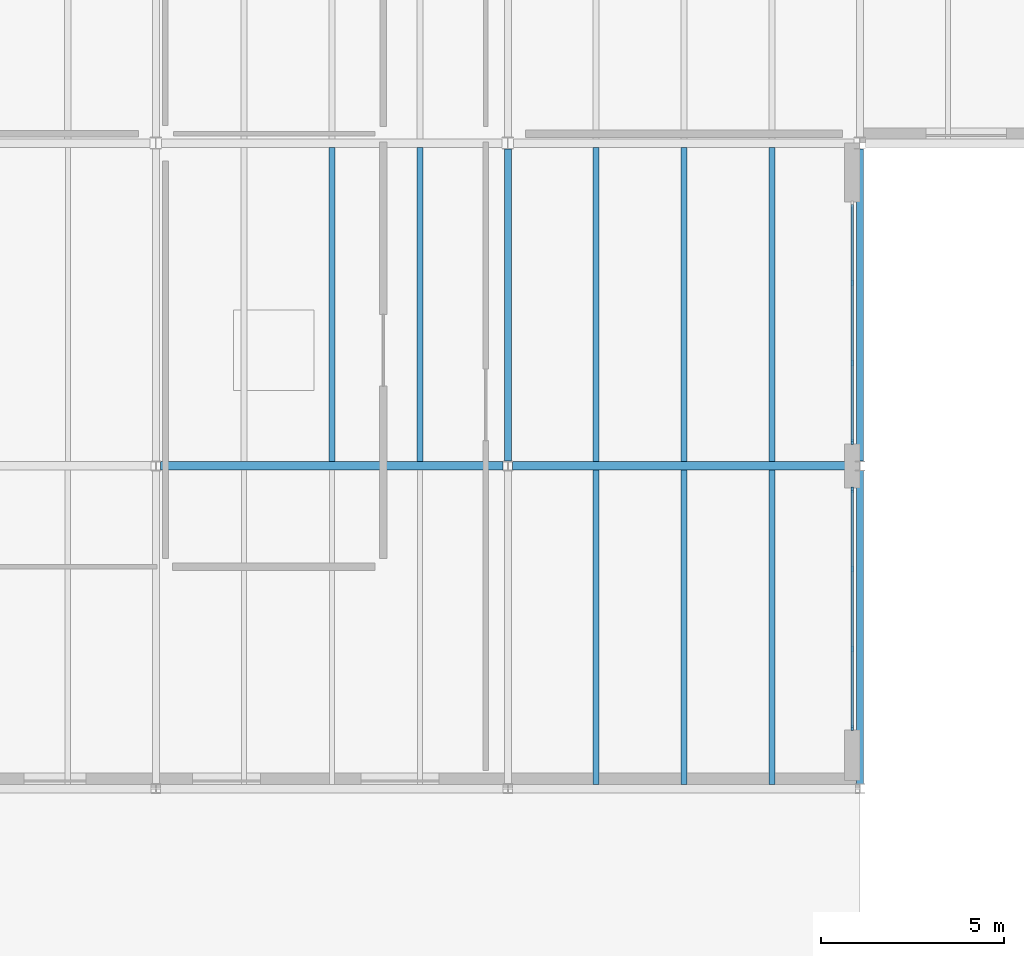
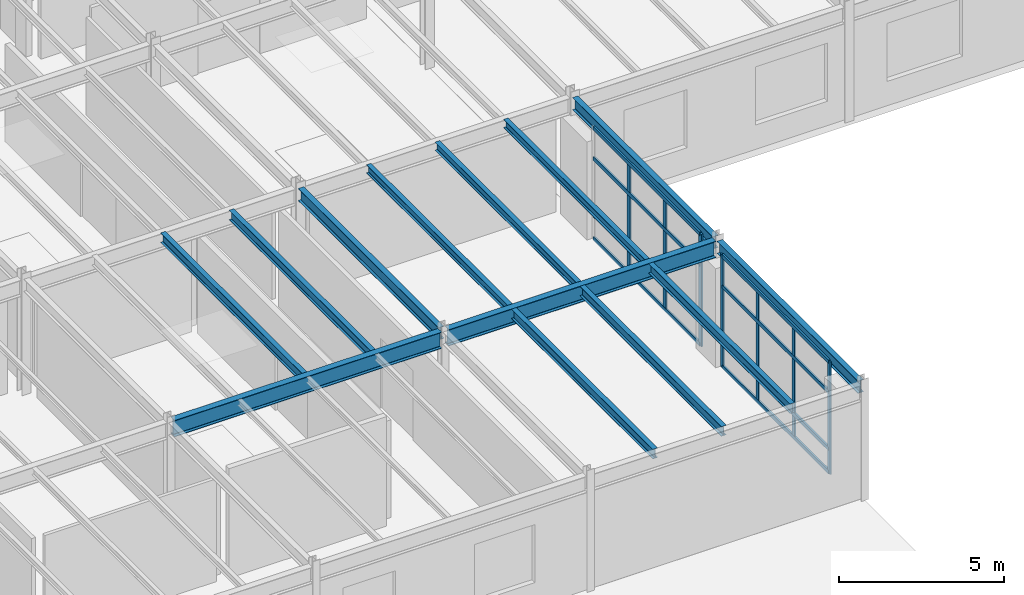
# One storey, part 25 of 77: 15 members, 13 beams, 2 elements without a shape of their own.
"""IFC4 building model written with IfcOpenShell, lengths in metres."""

from ifc_helpers import new_model, si_unit, direction, frame, origin, origin_2d, place, context, subcontext, project, spatial, rectangle, i_section, extrude, material, material_profile, profile_set, type_object, element, aggregate, save


model = new_model("IFC4")

# Units and contexts
model_context = context("Model", 3, precision=1e-05, world=origin(), true_north=direction((0.0, 1.0)))
body_context = subcontext(model_context, "Body", "Model", "MODEL_VIEW")
ifc_project = project(units=[si_unit("LENGTHUNIT", "METRE"), si_unit("AREAUNIT", "SQUARE_METRE"), si_unit("VOLUMEUNIT", "CUBIC_METRE"), si_unit("PLANEANGLEUNIT", "RADIAN"), si_unit("MASSUNIT", "GRAM", prefix="KILO")], contexts=[model_context])

# Site, building, storey
site_placement = place(None, origin())
site = spatial("IfcSite", under=ifc_project, at=site_placement, CompositionType="ELEMENT")
building_placement = place(site_placement, origin())
building = spatial("IfcBuilding", under=site, at=building_placement, Name="Sarnbrook Museum", CompositionType="ELEMENT")
storey_placement = place(building_placement, frame((0.0, 0.0, 5.60009765625)))
storey = spatial("IfcBuildingStorey", under=building, at=storey_placement, Name="L01", CompositionType="ELEMENT", Elevation=5.60009765625)

# Beams
ifc_material_1 = material(Name="Structural Steel Grade 300PLUS (AS/NZS 3679.1, fy = 280 MPa for 17 < t <= 40 mm, 300 MPa for t <= 17 mm)", Category="steel")
ifc_material_profile_1 = material_profile(ifc_material_1, i_section(OverallWidth=0.18994140625, OverallDepth=0.45703125, WebThickness=0.009033203125, FlangeThickness=0.014404296875, FilletRadius=0.011474609375, at=origin_2d()), Name="460UB74.6")
ifc_profile_set_1 = profile_set([ifc_material_profile_1], Name="Structural Steel Grade 300PLUS (AS/NZS 3679.1, fy = 280 MPa for 17 < t <= 40 mm, 300 MPa for t <= 17 mm)")
beam_type_1 = type_object("IfcBeamType", Name="BM-UB460", PredefinedType="BEAM", material=ifc_profile_set_1)
beam_1_placement = place(storey_placement, frame((109.60009765625, 30.530029296875, 4.0615234375), z_axis=(0.0, 1.0, 0.0), x_axis=(-1.0, 0.0, 0.0)))
element("IfcBeam", 1, at=beam_1_placement, inside=storey, type_object=beam_type_1, Name="Girder 12:D-E L01", PredefinedType="BEAM", context=body_context, shape_type="SweptSolid", body=[
    extrude(i_section(OverallWidth=0.18994140625, OverallDepth=0.45703125, WebThickness=0.009033203125, FlangeThickness=0.014404296875, FilletRadius=0.011474609375, at=origin_2d()), origin(), (0.0, 0.0, 1.0), 8.506591796875),
])
beam_2_placement = place(storey_placement, frame((119.199951171875, 21.72998046875, 4.0615234375), z_axis=(0.0, 1.0, 0.0), x_axis=(-1.0, 0.0, 0.0)))
element("IfcBeam", 2, at=beam_2_placement, inside=storey, type_object=beam_type_1, Name="Girder 13:C-D L01", PredefinedType="BEAM", context=body_context, shape_type="SweptSolid", body=[
    extrude(i_section(OverallWidth=0.18994140625, OverallDepth=0.45703125, WebThickness=0.009033203125, FlangeThickness=0.014404296875, FilletRadius=0.011474609375, at=origin_2d()), origin(), (0.0, 0.0, 1.0), 8.5400390625),
])
beam_3_placement = place(storey_placement, frame((119.199951171875, 30.530029296875, 4.0615234375), z_axis=(0.0, 1.0, 0.0), x_axis=(-1.0, 0.0, 0.0)))
element("IfcBeam", 3, at=beam_3_placement, inside=storey, type_object=beam_type_1, Name="Girder 13:D-E L01", PredefinedType="BEAM", context=body_context, shape_type="SweptSolid", body=[
    extrude(i_section(OverallWidth=0.18994140625, OverallDepth=0.45703125, WebThickness=0.009033203125, FlangeThickness=0.014404296875, FilletRadius=0.011474609375, at=origin_2d()), origin(), (0.0, 0.0, 1.0), 8.506591796875),
])
ifc_material_profile_2 = material_profile(ifc_material_1, i_section(OverallWidth=0.22802734375, OverallDepth=0.60693359375, WebThickness=0.01123046875, FlangeThickness=0.017333984375, FilletRadius=0.013916015625, at=origin_2d()), Name="610UB113")
ifc_profile_set_2 = profile_set([ifc_material_profile_2], Name="Structural Steel Grade 300PLUS (AS/NZS 3679.1, fy = 280 MPa for 17 < t <= 40 mm, 300 MPa for t <= 17 mm)")
beam_type_2 = type_object("IfcBeamType", Name="BM-UB610", PredefinedType="BEAM", material=ifc_profile_set_2)
for number, where, z_axis, x_axis, name in (
    (4, (100.1279296875, 30.39990234375, 3.986328125), (1.0, 0.0, 0.0), (0.0, 1.0, 0.0), "Girder D:11-12 L01"),
    (5, (109.72802734375, 30.39990234375, 3.986328125), (1.0, 0.0, 0.0), (0.0, 1.0, 0.0), "Girder D:12-13 L01"),
):
    element("IfcBeam", number, at=place(storey_placement, frame(where, z_axis=z_axis, x_axis=x_axis)), inside=storey, type_object=beam_type_2, Name=name, PredefinedType="BEAM", context=body_context, shape_type="SweptSolid", body=[
        extrude(i_section(OverallWidth=0.22802734375, OverallDepth=0.60693359375, WebThickness=0.01123046875, FlangeThickness=0.017333984375, FilletRadius=0.013916015625, at=origin_2d()), origin(), (0.0, 0.0, 1.0), 9.343994140625),
    ])

# Curtain wall, members
ifc_material_2 = material(Name="Thermally Broken Anodised Aluminium 6063-T6", Category="aluminium")
curtain_wall_type = type_object("IfcCurtainWallType", Name="CurtainWall_GalleryRibbon", PredefinedType="NOTDEFINED", material=ifc_material_2)
curtain_wall_1_placement = place(storey_placement, origin())
curtain_wall_1 = element("IfcCurtainWall", 6, at=curtain_wall_1_placement, inside=storey, type_object=curtain_wall_type, Name="Gallery Ribbon Curtain Wall L01-2.1", PredefinedType="NOTDEFINED")
ifc_material_profile_3 = material_profile(ifc_material_2, rectangle(XDim=0.06005859375, YDim=0.159912109375, at=origin_2d()), Name="ALU MULLION 60x160")
ifc_profile_set_3 = profile_set([ifc_material_profile_3], Name="Thermally Broken Anodised Aluminium 6063-T6")
member_type_1 = type_object("IfcMemberType", Name="CW_Mullion_150x65", PredefinedType="MULLION", material=ifc_profile_set_3)
member_1_placement = place(storey_placement, frame((118.989990234375, 23.260009765625, 0.0), z_axis=(0.0, 0.0, 1.0), x_axis=(1.0, 0.0, 0.0)))
member_1 = element("IfcMember", 7, at=member_1_placement, type_object=member_type_1, Name="Gallery Ribbon Curtain Wall L01-2.1 Mullion 1", PredefinedType="MULLION", context=body_context, shape_type="SweptSolid", body=[
    extrude(rectangle(XDim=0.06005859375, YDim=0.159912109375, at=origin_2d()), origin(), (0.0, 0.0, 1.0), 4.159912109375),
])
member_2_placement = place(storey_placement, frame((118.989990234375, 25.40673828125, 0.0), z_axis=(0.0, 0.0, 1.0), x_axis=(1.0, 0.0, 0.0)))
member_2 = element("IfcMember", 8, at=member_2_placement, type_object=member_type_1, Name="Gallery Ribbon Curtain Wall L01-2.1 Mullion 2", PredefinedType="MULLION", context=body_context, shape_type="SweptSolid", body=[
    extrude(rectangle(XDim=0.06005859375, YDim=0.159912109375, at=origin_2d()), origin(), (0.0, 0.0, 1.0), 4.159912109375),
])
member_3_placement = place(storey_placement, frame((118.989990234375, 27.59326171875, 0.0), z_axis=(0.0, 0.0, 1.0), x_axis=(1.0, 0.0, 0.0)))
member_3 = element("IfcMember", 9, at=member_3_placement, type_object=member_type_1, Name="Gallery Ribbon Curtain Wall L01-2.1 Mullion 3", PredefinedType="MULLION", context=body_context, shape_type="SweptSolid", body=[
    extrude(rectangle(XDim=0.06005859375, YDim=0.159912109375, at=origin_2d()), origin(), (0.0, 0.0, 1.0), 4.159912109375),
])
member_4_placement = place(storey_placement, frame((118.989990234375, 29.739990234375, 0.0), z_axis=(0.0, 0.0, 1.0), x_axis=(1.0, 0.0, 0.0)))
member_4 = element("IfcMember", 10, at=member_4_placement, type_object=member_type_1, Name="Gallery Ribbon Curtain Wall L01-2.1 Mullion 4", PredefinedType="MULLION", context=body_context, shape_type="SweptSolid", body=[
    extrude(rectangle(XDim=0.06005859375, YDim=0.159912109375, at=origin_2d()), origin(), (0.0, 0.0, 1.0), 4.159912109375),
])

curtain_wall_2_placement = place(storey_placement, origin())
curtain_wall_2 = element("IfcCurtainWall", 11, at=curtain_wall_2_placement, inside=storey, type_object=curtain_wall_type, Name="Gallery Ribbon Curtain Wall L01-2.2", PredefinedType="NOTDEFINED")
member_5_placement = place(storey_placement, frame((118.989990234375, 31.06005859375, 0.0), z_axis=(0.0, 0.0, 1.0), x_axis=(1.0, 0.0, 0.0)))
member_5 = element("IfcMember", 12, at=member_5_placement, type_object=member_type_1, Name="Gallery Ribbon Curtain Wall L01-2.2 Mullion 1", PredefinedType="MULLION", context=body_context, shape_type="SweptSolid", body=[
    extrude(rectangle(XDim=0.06005859375, YDim=0.159912109375, at=origin_2d()), origin(), (0.0, 0.0, 1.0), 4.159912109375),
])
member_6_placement = place(storey_placement, frame((118.989990234375, 33.206787109375, 0.0), z_axis=(0.0, 0.0, 1.0), x_axis=(1.0, 0.0, 0.0)))
member_6 = element("IfcMember", 13, at=member_6_placement, type_object=member_type_1, Name="Gallery Ribbon Curtain Wall L01-2.2 Mullion 2", PredefinedType="MULLION", context=body_context, shape_type="SweptSolid", body=[
    extrude(rectangle(XDim=0.06005859375, YDim=0.159912109375, at=origin_2d()), origin(), (0.0, 0.0, 1.0), 4.159912109375),
])
member_7_placement = place(storey_placement, frame((118.989990234375, 35.393310546875, 0.0), z_axis=(0.0, 0.0, 1.0), x_axis=(1.0, 0.0, 0.0)))
member_7 = element("IfcMember", 14, at=member_7_placement, type_object=member_type_1, Name="Gallery Ribbon Curtain Wall L01-2.2 Mullion 3", PredefinedType="MULLION", context=body_context, shape_type="SweptSolid", body=[
    extrude(rectangle(XDim=0.06005859375, YDim=0.159912109375, at=origin_2d()), origin(), (0.0, 0.0, 1.0), 4.159912109375),
])

# Member
ifc_material_profile_4 = material_profile(ifc_material_2, rectangle(XDim=0.06494140625, YDim=0.139892578125, at=origin_2d()), Name="ALU TRANSOM 65x140")
ifc_profile_set_4 = profile_set([ifc_material_profile_4], Name="Thermally Broken Anodised Aluminium 6063-T6")
member_type_2 = type_object("IfcMemberType", Name="CW_Transom_150x65", PredefinedType="USERDEFINED", material=ifc_profile_set_4)
member_8_placement = place(storey_placement, frame((118.989990234375, 23.27001953125, 0.039794921875), z_axis=(0.0, 1.0, 0.0), x_axis=(-1.0, 0.0, 0.0)))
member_8 = element("IfcMember", 15, at=member_8_placement, type_object=member_type_2, Name="Gallery Ribbon Curtain Wall L01-2.1 Transom 1", ObjectType="TRANSOM", PredefinedType="USERDEFINED", context=body_context, shape_type="SweptSolid", body=[
    extrude(rectangle(XDim=0.06494140625, YDim=0.139892578125, at=origin_2d()), origin(), (0.0, 0.0, 1.0), 6.4599609375),
])

member_9_placement = place(storey_placement, frame((118.989990234375, 23.27001953125, 0.89990234375), z_axis=(0.0, 1.0, 0.0), x_axis=(-1.0, 0.0, 0.0)))
member_9 = element("IfcMember", 16, at=member_9_placement, type_object=member_type_2, Name="Gallery Ribbon Curtain Wall L01-2.1 Transom 2", ObjectType="TRANSOM", PredefinedType="USERDEFINED", context=body_context, shape_type="SweptSolid", body=[
    extrude(rectangle(XDim=0.06494140625, YDim=0.139892578125, at=origin_2d()), origin(), (0.0, 0.0, 1.0), 6.4599609375),
])

member_10_placement = place(storey_placement, frame((118.989990234375, 23.27001953125, 3.0), z_axis=(0.0, 1.0, 0.0), x_axis=(-1.0, 0.0, 0.0)))
member_10 = element("IfcMember", 17, at=member_10_placement, type_object=member_type_2, Name="Gallery Ribbon Curtain Wall L01-2.1 Transom 3", ObjectType="TRANSOM", PredefinedType="USERDEFINED", context=body_context, shape_type="SweptSolid", body=[
    extrude(rectangle(XDim=0.06494140625, YDim=0.139892578125, at=origin_2d()), origin(), (0.0, 0.0, 1.0), 6.4599609375),
])

member_11_placement = place(storey_placement, frame((118.989990234375, 23.27001953125, 4.119873046875), z_axis=(0.0, 1.0, 0.0), x_axis=(-1.0, 0.0, 0.0)))
member_11 = element("IfcMember", 18, at=member_11_placement, type_object=member_type_2, Name="Gallery Ribbon Curtain Wall L01-2.1 Transom 4", ObjectType="TRANSOM", PredefinedType="USERDEFINED", context=body_context, shape_type="SweptSolid", body=[
    extrude(rectangle(XDim=0.06494140625, YDim=0.139892578125, at=origin_2d()), origin(), (0.0, 0.0, 1.0), 6.4599609375),
])

aggregate(curtain_wall_1, [member_1, member_2, member_3, member_4, member_8, member_9, member_10, member_11])

member_12_placement = place(storey_placement, frame((118.989990234375, 31.070068359375, 0.039794921875), z_axis=(0.0, 1.0, 0.0), x_axis=(-1.0, 0.0, 0.0)))
member_12 = element("IfcMember", 19, at=member_12_placement, type_object=member_type_2, Name="Gallery Ribbon Curtain Wall L01-2.2 Transom 1", ObjectType="TRANSOM", PredefinedType="USERDEFINED", context=body_context, shape_type="SweptSolid", body=[
    extrude(rectangle(XDim=0.06494140625, YDim=0.139892578125, at=origin_2d()), origin(), (0.0, 0.0, 1.0), 6.4599609375),
])

member_13_placement = place(storey_placement, frame((118.989990234375, 31.070068359375, 0.89990234375), z_axis=(0.0, 1.0, 0.0), x_axis=(-1.0, 0.0, 0.0)))
member_13 = element("IfcMember", 20, at=member_13_placement, type_object=member_type_2, Name="Gallery Ribbon Curtain Wall L01-2.2 Transom 2", ObjectType="TRANSOM", PredefinedType="USERDEFINED", context=body_context, shape_type="SweptSolid", body=[
    extrude(rectangle(XDim=0.06494140625, YDim=0.139892578125, at=origin_2d()), origin(), (0.0, 0.0, 1.0), 6.4599609375),
])

member_14_placement = place(storey_placement, frame((118.989990234375, 31.070068359375, 3.0), z_axis=(0.0, 1.0, 0.0), x_axis=(-1.0, 0.0, 0.0)))
member_14 = element("IfcMember", 21, at=member_14_placement, type_object=member_type_2, Name="Gallery Ribbon Curtain Wall L01-2.2 Transom 3", ObjectType="TRANSOM", PredefinedType="USERDEFINED", context=body_context, shape_type="SweptSolid", body=[
    extrude(rectangle(XDim=0.06494140625, YDim=0.139892578125, at=origin_2d()), origin(), (0.0, 0.0, 1.0), 6.4599609375),
])

member_15_placement = place(storey_placement, frame((118.989990234375, 31.070068359375, 4.119873046875), z_axis=(0.0, 1.0, 0.0), x_axis=(-1.0, 0.0, 0.0)))
member_15 = element("IfcMember", 22, at=member_15_placement, type_object=member_type_2, Name="Gallery Ribbon Curtain Wall L01-2.2 Transom 4", ObjectType="TRANSOM", PredefinedType="USERDEFINED", context=body_context, shape_type="SweptSolid", body=[
    extrude(rectangle(XDim=0.06494140625, YDim=0.139892578125, at=origin_2d()), origin(), (0.0, 0.0, 1.0), 6.4599609375),
])

aggregate(curtain_wall_2, [member_5, member_6, member_7, member_12, member_13, member_14, member_15])

# Beams
ifc_material_profile_5 = material_profile(ifc_material_1, i_section(OverallWidth=0.166015625, OverallDepth=0.306884765625, WebThickness=0.006591796875, FlangeThickness=0.01171875, FilletRadius=0.011474609375, at=origin_2d()), Name="310UB46.2")
ifc_profile_set_5 = profile_set([ifc_material_profile_5], Name="Structural Steel Grade 300PLUS (AS/NZS 3679.1, fy = 280 MPa for 17 < t <= 40 mm, 300 MPa for t <= 17 mm)")
beam_type_3 = type_object("IfcBeamType", Name="JS-UB310H", PredefinedType="JOIST", material=ifc_profile_set_5)
for number, where, z_axis, x_axis, name in (
    (23, (112.0, 30.513916015625, 4.136474609375), (0.0, 1.0, 0.0), (-1.0, 0.0, 0.0), "Composite Floor Joist 12D-1 L01"),
    (24, (114.39990234375, 30.513916015625, 4.136474609375), (0.0, 1.0, 0.0), (-1.0, 0.0, 0.0), "Composite Floor Joist 12D-2 L01"),
    (25, (116.800048828125, 30.513916015625, 4.136474609375), (0.0, 1.0, 0.0), (-1.0, 0.0, 0.0), "Composite Floor Joist 12D-3 L01"),
):
    element("IfcBeam", number, at=place(storey_placement, frame(where, z_axis=z_axis, x_axis=x_axis)), inside=storey, type_object=beam_type_3, Name=name, PredefinedType="JOIST", context=body_context, shape_type="SweptSolid", body=[
        extrude(i_section(OverallWidth=0.166015625, OverallDepth=0.306884765625, WebThickness=0.006591796875, FlangeThickness=0.01171875, FilletRadius=0.011474609375, at=origin_2d()), origin(), (0.0, 0.0, 1.0), 8.572021484375),
    ])
ifc_material_profile_6 = material_profile(ifc_material_1, i_section(OverallWidth=0.1708984375, OverallDepth=0.35595703125, WebThickness=0.00732421875, FlangeThickness=0.011474609375, FilletRadius=0.011474609375, at=origin_2d()), Name="360UB50.7")
ifc_profile_set_6 = profile_set([ifc_material_profile_6], Name="Structural Steel Grade 300PLUS (AS/NZS 3679.1, fy = 280 MPa for 17 < t <= 40 mm, 300 MPa for t <= 17 mm)")
beam_type_4 = type_object("IfcBeamType", Name="JS-UB360", PredefinedType="JOIST", material=ifc_profile_set_6)
for number, where, z_axis, x_axis, name in (
    (26, (104.800048828125, 30.513916015625, 4.11181640625), (0.0, 1.0, 0.0), (-1.0, 0.0, 0.0), "Composite Floor Joist 11D-2 L01"),
    (27, (107.199951171875, 30.513916015625, 4.11181640625), (0.0, 1.0, 0.0), (-1.0, 0.0, 0.0), "Composite Floor Joist 11D-3 L01"),
):
    element("IfcBeam", number, at=place(storey_placement, frame(where, z_axis=z_axis, x_axis=x_axis)), inside=storey, type_object=beam_type_4, Name=name, PredefinedType="JOIST", context=body_context, shape_type="SweptSolid", body=[
        extrude(i_section(OverallWidth=0.1708984375, OverallDepth=0.35595703125, WebThickness=0.00732421875, FlangeThickness=0.011474609375, FilletRadius=0.011474609375, at=origin_2d()), origin(), (0.0, 0.0, 1.0), 8.572021484375),
    ])
for number, where, z_axis, x_axis, name in (
    (28, (112.0, 21.714111328125, 4.11181640625), (0.0, 1.0, 0.0), (-1.0, 0.0, 0.0), "Composite Floor Joist 12C-1 L01"),
    (29, (114.39990234375, 21.714111328125, 4.11181640625), (0.0, 1.0, 0.0), (-1.0, 0.0, 0.0), "Composite Floor Joist 12C-2 L01"),
    (30, (116.800048828125, 21.714111328125, 4.11181640625), (0.0, 1.0, 0.0), (-1.0, 0.0, 0.0), "Composite Floor Joist 12C-3 L01"),
):
    element("IfcBeam", number, at=place(storey_placement, frame(where, z_axis=z_axis, x_axis=x_axis)), inside=storey, type_object=beam_type_4, Name=name, PredefinedType="JOIST", context=body_context, shape_type="SweptSolid", body=[
        extrude(i_section(OverallWidth=0.1708984375, OverallDepth=0.35595703125, WebThickness=0.00732421875, FlangeThickness=0.011474609375, FilletRadius=0.011474609375, at=origin_2d()), origin(), (0.0, 0.0, 1.0), 8.57177734375),
    ])

save(model, "model.ifc")
